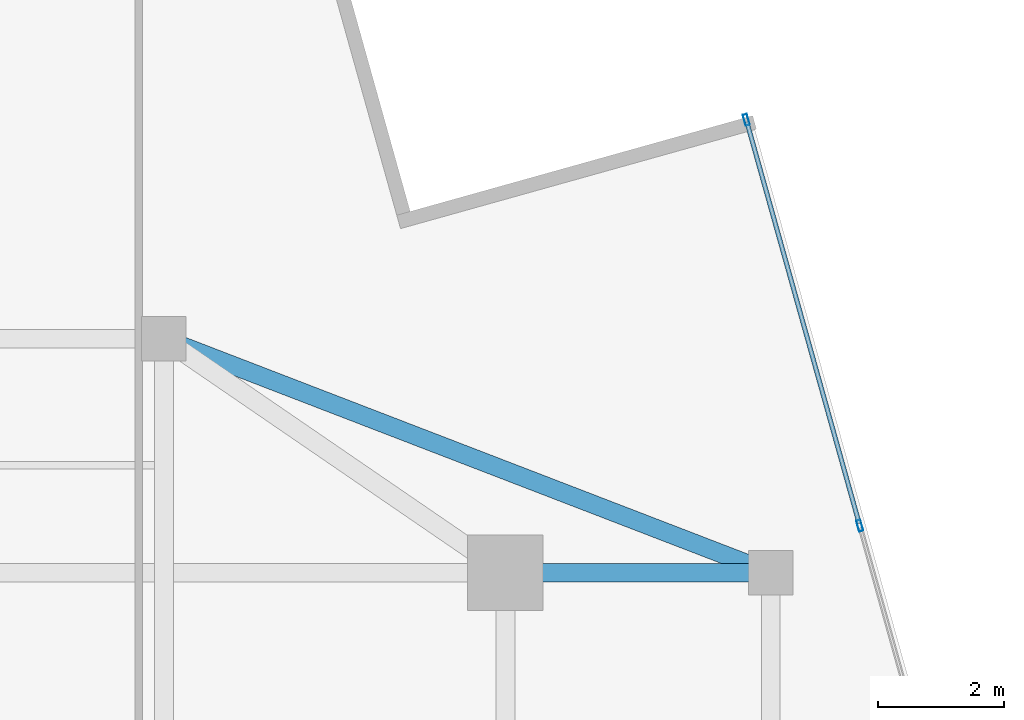
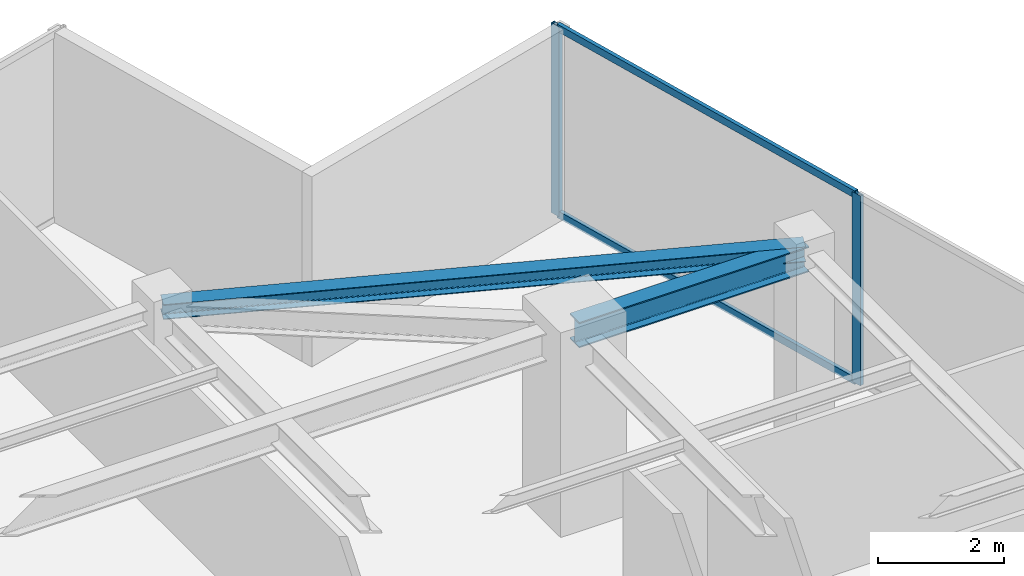
# One storey, part 15 of 21: 4 members, 2 beams, 1 element without a shape of its own.
"""IFC4 building model written with IfcOpenShell, lengths in metres."""

from ifc_helpers import new_model, si_unit, direction, frame, origin, origin_2d, place, context, subcontext, project, spatial, hollow_rectangle, i_section, extrude, source, transform, mapped, material, material_profile, profile_set, type_object, type_shapes, element, aggregate, save


model = new_model("IFC4")

# Units and contexts
model_context = context("Model", 3, precision=1e-05, world=origin(), true_north=direction((0.0, 1.0)))
body_context = subcontext(model_context, "Body", "Model", "MODEL_VIEW")
ifc_project = project(units=[si_unit("LENGTHUNIT", "METRE"), si_unit("AREAUNIT", "SQUARE_METRE"), si_unit("VOLUMEUNIT", "CUBIC_METRE"), si_unit("PLANEANGLEUNIT", "RADIAN"), si_unit("MASSUNIT", "GRAM", prefix="KILO")], contexts=[model_context])

# Site, building, storey
site_placement = place(None, origin())
site = spatial("IfcSite", under=ifc_project, at=site_placement, CompositionType="ELEMENT")
building_placement = place(site_placement, origin())
building = spatial("IfcBuilding", under=site, at=building_placement, Name="Krantzveldt Concourse Tower", CompositionType="ELEMENT")
storey_placement = place(building_placement, frame((0.0, 0.0, 347.449951171875)))
storey = spatial("IfcBuildingStorey", under=building, at=storey_placement, Name="L85", CompositionType="ELEMENT", Elevation=347.449951171875)

# Beams
ifc_material_1 = material(Name="Steel S355JR", Category="steel")
ifc_material_profile_1 = material_profile(ifc_material_1, i_section(OverallWidth=0.300048828125, OverallDepth=0.489990234375, WebThickness=0.011962890625, FlangeThickness=0.02294921875, FilletRadius=0.027099609375, at=origin_2d()), Name="Steel S355JR", Category="steel")
ifc_profile_set_1 = profile_set([ifc_material_profile_1], Name="Steel S355JR - HEA 500")
beam_type_1 = type_object("IfcBeamType", Name="BM-B-HEA500", PredefinedType="BEAM", material=ifc_profile_set_1)
shared_shape_1 = source(origin(), body_context, "Body", "SweptSolid", [
    extrude(i_section(OverallWidth=0.300048828125, OverallDepth=0.489990234375, WebThickness=0.011962890625, FlangeThickness=0.02294921875, FilletRadius=0.027099609375, at=origin_2d()), origin(), (0.0, 0.0, 1.0), 4.199951171875),
])
type_shapes(beam_type_1, [shared_shape_1])
beam_1_placement = place(storey_placement, frame((46.800048828125, 37.5, 3.425048828125), z_axis=(1.0, 0.0, 0.0), x_axis=(0.0, 1.0, 0.0)))
element("IfcBeam", 1, at=beam_1_placement, inside=storey, type_object=beam_type_1, Name="L85 Tower Girder BR-RR3", PredefinedType="BEAM", context=body_context, shape_type="MappedRepresentation", body=[
    mapped(shared_shape_1, transform((0.0, 0.0, 0.0), x_axis=(1.0, 0.0, 0.0), y_axis=(0.0, 1.0, 0.0), z_axis=(0.0, 0.0, 1.0), scale=1.0)),
])
ifc_material_profile_2 = material_profile(ifc_material_1, i_section(OverallWidth=0.2900390625, OverallDepth=0.2900390625, WebThickness=0.008544921875, FlangeThickness=0.013916015625, FilletRadius=0.027099609375, at=origin_2d()), Name="Steel S355JR", Category="steel")
ifc_profile_set_2 = profile_set([ifc_material_profile_2], Name="Steel S355JR - HEA 300")
beam_type_2 = type_object("IfcBeamType", Name="BM-SP-HEA300", PredefinedType="SPANDREL", material=ifc_profile_set_2)
shared_shape_2 = source(origin(), body_context, "Body", "SweptSolid", [
    extrude(i_section(OverallWidth=0.2900390625, OverallDepth=0.2900390625, WebThickness=0.008544921875, FlangeThickness=0.013916015625, FilletRadius=0.027099609375, at=origin_2d()), origin(), (0.0, 0.0, 1.0), 10.288330078125),
])
type_shapes(beam_type_2, [shared_shape_2])
beam_2_placement = place(storey_placement, frame((41.39990234375, 41.199951171875, 3.525146484375), z_axis=(0.933097690408, -0.359622997257, 0.0), x_axis=(0.359622997257, 0.933097690408, 0.0)))
element("IfcBeam", 2, at=beam_2_placement, inside=storey, type_object=beam_type_2, Name="L85 Tower Girder SP-R05", PredefinedType="SPANDREL", context=body_context, shape_type="MappedRepresentation", body=[
    mapped(shared_shape_2, transform((0.0, 0.0, 0.0), x_axis=(1.0, 0.0, 0.0), y_axis=(0.0, 1.0, 0.0), z_axis=(0.0, 0.0, 1.0), scale=1.0)),
])

# Curtain wall, members
ifc_material_2 = material(Name="Anodised aluminium 6063-T6", Category="aluminium")
curtain_wall_type = type_object("IfcCurtainWallType", Name="CW4", PredefinedType="USERDEFINED", material=ifc_material_2)
curtain_wall_placement = place(storey_placement, origin())
curtain_wall = element("IfcCurtainWall", 3, at=curtain_wall_placement, inside=storey, type_object=curtain_wall_type, Name="CW-L85-F10", ObjectType="UNITISED CURTAIN WALL", PredefinedType="USERDEFINED")
ifc_material_profile_3 = material_profile(ifc_material_2, hollow_rectangle(XDim=0.070068359375, YDim=0.179931640625, WallThickness=0.0048828125, at=origin_2d()), Name="Anodised aluminium 6063-T6", Category="aluminium")
ifc_profile_set_3 = profile_set([ifc_material_profile_3], Name="Anodised aluminium 6063-T6 - ALU-MULL 180x70x5")
member_type_1 = type_object("IfcMemberType", Name="CW-MUL-180", PredefinedType="MULLION", material=ifc_profile_set_3)
shared_shape_3 = source(origin(), body_context, "Body", "SweptSolid", [
    extrude(hollow_rectangle(XDim=0.070068359375, YDim=0.179931640625, WallThickness=0.0048828125, at=origin_2d()), origin(), (0.0, 0.0, 1.0), 3.670166015625),
])
type_shapes(member_type_1, [shared_shape_3])
member_1_placement = place(storey_placement, frame((52.406494140625, 38.24560546875, 0.0), z_axis=(0.0, 0.0, 1.0), x_axis=(-0.963045170968, -0.269339931454, 0.0)))
member_1 = element("IfcMember", 4, at=member_1_placement, type_object=member_type_1, Name="CW-Z56 mullion 4", PredefinedType="MULLION", context=body_context, shape_type="MappedRepresentation", body=[
    mapped(shared_shape_3, transform((0.0, 0.0, 0.0), x_axis=(1.0, 0.0, 0.0), y_axis=(0.0, 1.0, 0.0), z_axis=(0.0, 0.0, 1.0), scale=1.0)),
])
member_2_placement = place(storey_placement, frame((50.611572265625, 44.664306640625, 0.0), z_axis=(0.0, 0.0, 1.0), x_axis=(-0.963045170968, -0.269339931454, 0.0)))
member_2 = element("IfcMember", 5, at=member_2_placement, type_object=member_type_1, Name="CW-Z56 mullion 5", PredefinedType="MULLION", context=body_context, shape_type="MappedRepresentation", body=[
    mapped(shared_shape_3, transform((0.0, 0.0, 0.0), x_axis=(1.0, 0.0, 0.0), y_axis=(0.0, 1.0, 0.0), z_axis=(0.0, 0.0, 1.0), scale=1.0)),
])
ifc_material_profile_4 = material_profile(ifc_material_2, hollow_rectangle(XDim=0.070068359375, YDim=0.139892578125, WallThickness=0.0048828125, at=origin_2d()), Name="Anodised aluminium 6063-T6", Category="aluminium")
ifc_profile_set_4 = profile_set([ifc_material_profile_4], Name="Anodised aluminium 6063-T6 - ALU-TRAN 140x70x5")
member_type_2 = type_object("IfcMemberType", Name="CW-TRN-150", PredefinedType="USERDEFINED", material=ifc_profile_set_4)
shared_shape_4 = source(origin(), body_context, "Body", "SweptSolid", [
    extrude(hollow_rectangle(XDim=0.070068359375, YDim=0.139892578125, WallThickness=0.0048828125, at=origin_2d()), origin(), (0.0, 0.0, 1.0), 6.594970703125),
])
type_shapes(member_type_2, [shared_shape_4])
member_3_placement = place(storey_placement, frame((52.397216796875, 38.279296875, 0.03515625), z_axis=(-0.269348428694, 0.963042794459, 0.0), x_axis=(-0.963042794459, -0.269348428694, 0.0)))
member_3 = element("IfcMember", 6, at=member_3_placement, type_object=member_type_2, Name="CW-Z56 transom 4.1", ObjectType="TRANSOM", PredefinedType="USERDEFINED", context=body_context, shape_type="MappedRepresentation", body=[
    mapped(shared_shape_4, transform((0.0, 0.0, 0.0), x_axis=(1.0, 0.0, 0.0), y_axis=(0.0, 1.0, 0.0), z_axis=(0.0, 0.0, 1.0), scale=1.0)),
])
member_4_placement = place(storey_placement, frame((52.397216796875, 38.279296875, 3.635009765625), z_axis=(-0.269348428694, 0.963042794459, 0.0), x_axis=(-0.963042794459, -0.269348428694, 0.0)))
member_4 = element("IfcMember", 7, at=member_4_placement, type_object=member_type_2, Name="CW-Z56 transom 4.2", ObjectType="TRANSOM", PredefinedType="USERDEFINED", context=body_context, shape_type="MappedRepresentation", body=[
    mapped(shared_shape_4, transform((0.0, 0.0, 0.0), x_axis=(1.0, 0.0, 0.0), y_axis=(0.0, 1.0, 0.0), z_axis=(0.0, 0.0, 1.0), scale=1.0)),
])
aggregate(curtain_wall, [member_1, member_2, member_3, member_4])

save(model, "model.ifc")
